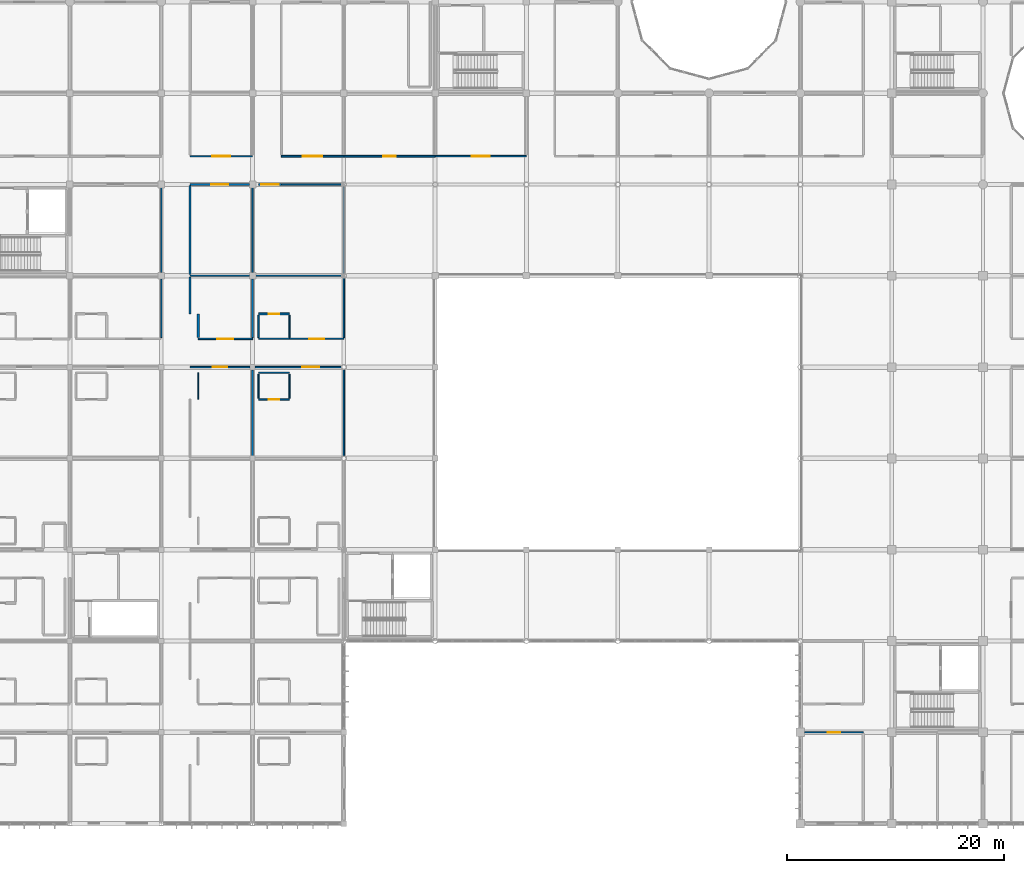
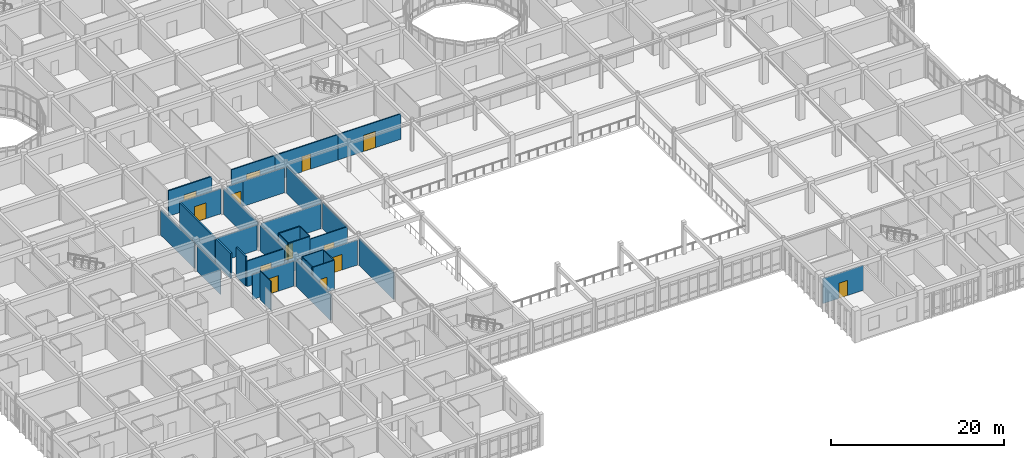
# One storey, part 102 of 144: 34 walls, 13 doors, 13 openings.
"""IFC4 building model written with IfcOpenShell, lengths in metres."""

from ifc_helpers import new_model, si_unit, direction, frame, frame_2d, origin, place, context, subcontext, project, spatial, rectangle, extrude, material, layer, layer_set, type_object, element, fill, save


model = new_model("IFC4")

# Units and contexts
model_context = context("Model", 3, precision=1e-05, world=origin(), true_north=direction((0.0, 1.0)))
body_context = subcontext(model_context, "Body", "Model", "MODEL_VIEW")
ifc_project = project(units=[si_unit("LENGTHUNIT", "METRE"), si_unit("AREAUNIT", "SQUARE_METRE"), si_unit("VOLUMEUNIT", "CUBIC_METRE"), si_unit("PLANEANGLEUNIT", "RADIAN"), si_unit("MASSUNIT", "GRAM", prefix="KILO")], contexts=[model_context])

# Site, building, storey
site_placement = place(None, origin())
site = spatial("IfcSite", under=ifc_project, at=site_placement, CompositionType="ELEMENT")
building_placement = place(site_placement, origin())
building = spatial("IfcBuilding", under=site, at=building_placement, Name="Bramfleet General Hospital", CompositionType="ELEMENT")
storey_placement = place(building_placement, frame((0.0, 0.0, 4.800048828125)))
storey = spatial("IfcBuildingStorey", under=building, at=storey_placement, Name="L01", CompositionType="ELEMENT", Elevation=4.800048828125)

# Walls
ifc_material_1 = material(Name="Concrete C35/45", Category="concrete")
ifc_layer_1 = layer(ifc_material_1, 0.219970703125, Name="WT-IW-01")
ifc_layer_set_1 = layer_set([ifc_layer_1], Name="Concrete C35/45")
wall_type_1 = type_object("IfcWallType", Name="WT-IW-01", PredefinedType="PARTITIONING", material=ifc_layer_set_1)
wall_1_placement = place(storey_placement, frame((36.25, 46.89990234375, 0.0), z_axis=(0.0, 0.0, 1.0), x_axis=(0.0, 1.0, 0.0)))
element("IfcWall", 1, at=wall_1_placement, inside=storey, type_object=wall_type_1, Name="L01 Interior Partition IW-L01-1693", PredefinedType="PARTITIONING", context=body_context, shape_type="SweptSolid", body=[
    extrude(rectangle(XDim=3.385009765625, YDim=0.219970703125, at=frame_2d((1.6923828125, 0.0))), origin(), (0.0, 0.0, 1.0), 3.5400390625),
])
wall_2_placement = place(storey_placement, frame((37.0, 44.715087890625, 0.0), z_axis=(0.0, 0.0, 1.0), x_axis=(0.0, 1.0, 0.0)))
element("IfcWall", 2, at=wall_2_placement, inside=storey, type_object=wall_type_1, Name="L01 Interior Partition IW-L01-1705", PredefinedType="PARTITIONING", context=body_context, shape_type="SweptSolid", body=[
    extrude(rectangle(XDim=2.184814453125, YDim=0.219970703125, at=frame_2d((1.09228515625, 0.0))), origin(), (0.0, 0.0, 1.0), 4.139892578125),
])
ifc_layer_2 = layer(ifc_material_1, 0.205078125, Name="WT-IW-02")
ifc_layer_set_2 = layer_set([ifc_layer_2], Name="Concrete C35/45")
wall_type_2 = type_object("IfcWallType", Name="WT-IW-02", PredefinedType="PARTITIONING", material=ifc_layer_set_2)
wall_3_placement = place(storey_placement, frame((36.25, 50.514892578125, 0.0), z_axis=(0.0, 0.0, 1.0), x_axis=(0.0, 1.0, 0.0)))
element("IfcWall", 3, at=wall_3_placement, inside=storey, type_object=wall_type_2, Name="L01 Interior Partition IW-L01-1694", PredefinedType="PARTITIONING", context=body_context, shape_type="SweptSolid", body=[
    extrude(rectangle(XDim=8.170166015625, YDim=0.205078125, at=frame_2d((4.0849609375, 0.0))), origin(), (0.0, 0.0, 1.0), 3.5400390625),
])

# Wall, opening, door
ifc_material_2 = material(Name="Gypsum plasterboard on acoustic steel studs", Category="steel")
ifc_layer_3 = layer(ifc_material_2, 0.169921875, Name="WT-IW-05")
ifc_layer_set_3 = layer_set([ifc_layer_3], Name="Gypsum plasterboard on acoustic steel studs")
wall_type_3 = type_object("IfcWallType", Name="WT-IW-05", PredefinedType="PARTITIONING", material=ifc_layer_set_3)
wall_4_placement = place(storey_placement, frame((42.550048828125, 46.89990234375, 0.0), z_axis=(0.0, 0.0, 1.0), x_axis=(1.0, 0.0, 0.0)))
wall_4 = element("IfcWall", 4, at=wall_4_placement, inside=storey, type_object=wall_type_3, Name="L01 Interior Partition IW-L01-1373", PredefinedType="PARTITIONING", context=body_context, shape_type="SweptSolid", body=[
    extrude(rectangle(XDim=2.849853515625, YDim=0.169921875, at=frame_2d((1.4248046875, 0.0))), origin(), (0.0, 0.0, 1.0), 4.139892578125),
])
opening_1_placement = place(wall_4_placement, frame((0.949951171875, 0.0, 0.0)))
opening_1 = element("IfcOpeningElement", 5, at=opening_1_placement, cuts=wall_4, Name="Opening D0707", PredefinedType="OPENING", context=body_context, shape_type="SweptSolid", body=[
    extrude(rectangle(XDim=0.949951171875, YDim=2.10009765625, at=frame_2d((0.47509765625, 1.050048828125))), frame((0.0, 0.094970703125, 0.0), z_axis=(0.0, -1.0, 0.0), x_axis=(1.0, 0.0, 0.0)), (0.0, 0.0, 1.0), 0.18994140625),
])
ifc_material_3 = material(Name="Stainless steel and acoustic timber leaf", Category="steel")
door_type_1 = type_object("IfcDoorType", Name="DR-D-10", OperationType="NOTDEFINED", PredefinedType="DOOR", material=ifc_material_3)
door_1_placement = place(opening_1_placement, origin())
door_1 = element("IfcDoor", 6, at=door_1_placement, inside=storey, type_object=door_type_1, Name="Observation En-Suite Bathroom L01-0505 Door D0707", OperationType="SINGLE_SWING_LEFT", OverallHeight=2.10009765625, OverallWidth=0.949951171875, PredefinedType="DOOR", context=body_context, shape_type="SweptSolid", body=[
    extrude(rectangle(XDim=0.949951171875, YDim=2.10009765625, at=frame_2d((0.47509765625, 1.050048828125))), frame((0.0, 0.02490234375, 0.0), z_axis=(0.0, -1.0, 0.0), x_axis=(1.0, 0.0, 0.0)), (0.0, 0.0, 1.0), 0.050048828125),
])
fill(opening_1, door_1)

wall_5_placement = place(storey_placement, frame((36.25, 61.39990234375, 0.0), z_axis=(0.0, 0.0, 1.0), x_axis=(1.0, 0.0, 0.0)))
wall_5 = element("IfcWall", 7, at=wall_5_placement, inside=storey, type_object=wall_type_3, Name="L01 Interior Partition IW-L01-1397", PredefinedType="PARTITIONING", context=body_context, shape_type="SweptSolid", body=[
    extrude(rectangle(XDim=5.75, YDim=0.169921875, at=frame_2d((2.875, 0.0))), origin(), (0.0, 0.0, 1.0), 3.58984375),
])
opening_2_placement = place(wall_5_placement, frame((2.054931640625, 0.0, 0.0)))
opening_2 = element("IfcOpeningElement", 8, at=opening_2_placement, cuts=wall_5, Name="Opening D0690", PredefinedType="OPENING", context=body_context, shape_type="SweptSolid", body=[
    extrude(rectangle(XDim=1.639892578125, YDim=2.280029296875, at=frame_2d((0.81982421875, 1.14013671875))), frame((0.0, 0.094970703125, 0.0), z_axis=(0.0, -1.0, 0.0), x_axis=(1.0, 0.0, 0.0)), (0.0, 0.0, 1.0), 0.18994140625),
])
door_type_2 = type_object("IfcDoorType", Name="DR-D-18", OperationType="NOTDEFINED", PredefinedType="DOOR", material=ifc_material_3)
door_2_placement = place(opening_2_placement, origin())
door_2 = element("IfcDoor", 9, at=door_2_placement, inside=storey, type_object=door_type_2, Name="Endoscopy and Day Surgery Procedure Room L01-0407 Door D0690", OperationType="DOUBLE_SWING_LEFT", OverallHeight=2.280029296875, OverallWidth=1.639892578125, PredefinedType="DOOR", context=body_context, shape_type="SweptSolid", body=[
    extrude(rectangle(XDim=1.639892578125, YDim=2.280029296875, at=frame_2d((0.81982421875, 1.14013671875))), frame((0.0, 0.02490234375, 0.0), z_axis=(0.0, -1.0, 0.0), x_axis=(1.0, 0.0, 0.0)), (0.0, 0.0, 1.0), 0.050048828125),
])
fill(opening_2, door_2)

ifc_layer_4 = layer(ifc_material_2, 0.159912109375, Name="WT-IW-06")
ifc_layer_set_4 = layer_set([ifc_layer_4], Name="Gypsum plasterboard on acoustic steel studs")
wall_type_4 = type_object("IfcWallType", Name="WT-IW-06", PredefinedType="PARTITIONING", material=ifc_layer_set_4)
wall_6_placement = place(storey_placement, frame((36.25, 58.800048828125, 0.0), z_axis=(0.0, 0.0, 1.0), x_axis=(1.0, 0.0, 0.0)))
wall_6 = element("IfcWall", 10, at=wall_6_placement, inside=storey, type_object=wall_type_4, Name="L01 Interior Partition IW-L01-1386", PredefinedType="PARTITIONING", context=body_context, shape_type="SweptSolid", body=[
    extrude(rectangle(XDim=5.455078125, YDim=0.159912109375, at=frame_2d((2.7275390625, 0.0))), origin(), (0.0, 0.0, 1.0), 3.5400390625),
])
opening_3_placement = place(wall_6_placement, frame((1.95751953125, 0.0, 0.0)))
opening_3 = element("IfcOpeningElement", 11, at=opening_3_placement, cuts=wall_6, Name="Opening D0689", PredefinedType="OPENING", context=body_context, shape_type="SweptSolid", body=[
    extrude(rectangle(XDim=1.5400390625, YDim=2.239990234375, at=frame_2d((0.77001953125, 1.1201171875))), frame((0.0, 0.08984375, 0.0), z_axis=(0.0, -1.0, 0.0), x_axis=(1.0, 0.0, 0.0)), (0.0, 0.0, 1.0), 0.179931640625),
])
door_type_3 = type_object("IfcDoorType", Name="DR-D-17", OperationType="NOTDEFINED", PredefinedType="DOOR", material=ifc_material_3)
door_3_placement = place(opening_3_placement, origin())
door_3 = element("IfcDoor", 12, at=door_3_placement, inside=storey, type_object=door_type_3, Name="Endoscopy and Day Surgery Procedure Room L01-0406 Door D0689", OperationType="SINGLE_SWING_RIGHT", OverallHeight=2.239990234375, OverallWidth=1.5400390625, PredefinedType="DOOR", context=body_context, shape_type="SweptSolid", body=[
    extrude(rectangle(XDim=1.5400390625, YDim=2.239990234375, at=frame_2d((0.77001953125, 1.1201171875))), frame((0.0, 0.02490234375, 0.0), z_axis=(0.0, -1.0, 0.0), x_axis=(1.0, 0.0, 0.0)), (0.0, 0.0, 1.0), 0.050048828125),
])
fill(opening_3, door_3)

wall_7_placement = place(storey_placement, frame((44.64990234375, 61.39990234375, 0.0), z_axis=(0.0, 0.0, 1.0), x_axis=(1.0, 0.0, 0.0)))
wall_7 = element("IfcWall", 13, at=wall_7_placement, inside=storey, type_object=wall_type_4, Name="L01 Interior Partition IW-L01-1398", PredefinedType="PARTITIONING", context=body_context, shape_type="SweptSolid", body=[
    extrude(rectangle(XDim=5.75, YDim=0.159912109375, at=frame_2d((2.875, 0.0))), origin(), (0.0, 0.0, 1.0), 3.58984375),
])
opening_4_placement = place(wall_7_placement, frame((1.97509765625, 0.0, 0.0)))
opening_4 = element("IfcOpeningElement", 14, at=opening_4_placement, cuts=wall_7, Name="Opening D0709", PredefinedType="OPENING", context=body_context, shape_type="SweptSolid", body=[
    extrude(rectangle(XDim=1.800048828125, YDim=2.25, at=frame_2d((0.89990234375, 1.125))), frame((0.0, 0.08984375, 0.0), z_axis=(0.0, -1.0, 0.0), x_axis=(1.0, 0.0, 0.0)), (0.0, 0.0, 1.0), 0.179931640625),
])
door_type_4 = type_object("IfcDoorType", Name="DR-D-05", OperationType="NOTDEFINED", PredefinedType="DOOR", material=ifc_material_3)
door_4_placement = place(opening_4_placement, origin())
door_4 = element("IfcDoor", 15, at=door_4_placement, inside=storey, type_object=door_type_4, Name="Endoscopy and Day Surgery Procedure Room L01-0507 Door D0709", OperationType="DOUBLE_SWING_RIGHT", OverallHeight=2.25, OverallWidth=1.800048828125, PredefinedType="DOOR", context=body_context, shape_type="SweptSolid", body=[
    extrude(rectangle(XDim=1.800048828125, YDim=2.25, at=frame_2d((0.89990234375, 1.125))), frame((0.0, 0.02490234375, 0.0), z_axis=(0.0, -1.0, 0.0), x_axis=(1.0, 0.0, 0.0)), (0.0, 0.0, 1.0), 0.050048828125),
])
fill(opening_4, door_4)

# Wall
wall_8_placement = place(storey_placement, frame((42.0, 33.844970703125, 0.0), z_axis=(0.0, 0.0, 1.0), x_axis=(0.0, 1.0, 0.0)))
element("IfcWall", 16, at=wall_8_placement, inside=storey, type_object=wall_type_4, Name="L01 Interior Partition IW-L01-1710", PredefinedType="PARTITIONING", context=body_context, shape_type="SweptSolid", body=[
    extrude(rectangle(XDim=7.909912109375, YDim=0.159912109375, at=frame_2d((3.955078125, 0.0))), origin(), (0.0, 0.0, 1.0), 3.58984375),
])

# Wall, opening, door
ifc_layer_5 = layer(ifc_material_2, 0.14990234375, Name="WT-IW-07")
ifc_layer_set_5 = layer_set([ifc_layer_5], Name="Gypsum plasterboard on acoustic steel studs")
wall_type_5 = type_object("IfcWallType", Name="WT-IW-07", PredefinedType="PARTITIONING", material=ifc_layer_set_5)
wall_9_placement = place(storey_placement, frame((42.550048828125, 58.800048828125, 0.0), z_axis=(0.0, 0.0, 1.0), x_axis=(1.0, 0.0, 0.0)))
wall_9 = element("IfcWall", 17, at=wall_9_placement, inside=storey, type_object=wall_type_5, Name="L01 Interior Partition IW-L01-1387", PredefinedType="PARTITIONING", context=body_context, shape_type="SweptSolid", body=[
    extrude(rectangle(XDim=2.099853515625, YDim=0.14990234375, at=frame_2d((1.0498046875, 0.0))), origin(), (0.0, 0.0, 1.0), 3.5400390625),
])
opening_5_placement = place(wall_9_placement, frame((0.25, 0.0, 0.0)))
opening_5 = element("IfcOpeningElement", 18, at=opening_5_placement, cuts=wall_9, Name="Opening D0708", PredefinedType="OPENING", context=body_context, shape_type="SweptSolid", body=[
    extrude(rectangle(XDim=1.60009765625, YDim=2.25, at=frame_2d((0.800048828125, 1.125))), frame((0.0, 0.0849609375, 0.0), z_axis=(0.0, -1.0, 0.0), x_axis=(1.0, 0.0, 0.0)), (0.0, 0.0, 1.0), 0.169921875),
])
door_type_5 = type_object("IfcDoorType", Name="DR-D-04", OperationType="NOTDEFINED", PredefinedType="DOOR", material=ifc_material_3)
door_5_placement = place(opening_5_placement, origin())
door_5 = element("IfcDoor", 19, at=door_5_placement, inside=storey, type_object=door_type_5, Name="Endoscopy and Day Surgery Procedure Room L01-0506 Door D0708", OperationType="DOUBLE_SWING_LEFT", OverallHeight=2.25, OverallWidth=1.60009765625, PredefinedType="DOOR", context=body_context, shape_type="SweptSolid", body=[
    extrude(rectangle(XDim=1.60009765625, YDim=2.25, at=frame_2d((0.800048828125, 1.125))), frame((0.0, 0.02490234375, 0.0), z_axis=(0.0, -1.0, 0.0), x_axis=(1.0, 0.0, 0.0)), (0.0, 0.0, 1.0), 0.050048828125),
])
fill(opening_5, door_5)

wall_10_placement = place(storey_placement, frame((50.39990234375, 61.39990234375, 0.0), z_axis=(0.0, 0.0, 1.0), x_axis=(1.0, 0.0, 0.0)))
wall_10 = element("IfcWall", 20, at=wall_10_placement, inside=storey, type_object=wall_type_5, Name="L01 Interior Partition IW-L01-1399", PredefinedType="PARTITIONING", context=body_context, shape_type="SweptSolid", body=[
    extrude(rectangle(XDim=8.400146484375, YDim=0.14990234375, at=frame_2d((4.2001953125, 0.0))), origin(), (0.0, 0.0, 1.0), 3.58984375),
])
opening_6_placement = place(wall_10_placement, frame((3.625, 0.0, 0.0)))
opening_6 = element("IfcOpeningElement", 21, at=opening_6_placement, cuts=wall_10, Name="Opening D0716", PredefinedType="OPENING", context=body_context, shape_type="SweptSolid", body=[
    extrude(rectangle(XDim=1.14990234375, YDim=2.14990234375, at=frame_2d((0.574951171875, 1.074951171875))), frame((0.0, 0.0849609375, 0.0), z_axis=(0.0, -1.0, 0.0), x_axis=(1.0, 0.0, 0.0)), (0.0, 0.0, 1.0), 0.169921875),
])
door_type_6 = type_object("IfcDoorType", Name="DR-D-12", OperationType="NOTDEFINED", PredefinedType="DOOR", material=ifc_material_3)
door_6_placement = place(opening_6_placement, origin())
door_6 = element("IfcDoor", 22, at=door_6_placement, inside=storey, type_object=door_type_6, Name="Endoscopy and Day Surgery Procedure Room L01-0607 Door D0716", OperationType="SINGLE_SWING_LEFT", OverallHeight=2.14990234375, OverallWidth=1.14990234375, PredefinedType="DOOR", context=body_context, shape_type="SweptSolid", body=[
    extrude(rectangle(XDim=1.14990234375, YDim=2.14990234375, at=frame_2d((0.574951171875, 1.074951171875))), frame((0.0, 0.02490234375, 0.0), z_axis=(0.0, -1.0, 0.0), x_axis=(1.0, 0.0, 0.0)), (0.0, 0.0, 1.0), 0.050048828125),
])
fill(opening_6, door_6)

# Wall
wall_11_placement = place(storey_placement, frame((42.0, 44.715087890625, 0.0), z_axis=(0.0, 0.0, 1.0), x_axis=(0.0, 1.0, 0.0)))
element("IfcWall", 23, at=wall_11_placement, inside=storey, type_object=wall_type_5, Name="L01 Interior Partition IW-L01-1711", PredefinedType="PARTITIONING", context=body_context, shape_type="SweptSolid", body=[
    extrude(rectangle(XDim=5.389892578125, YDim=0.14990234375, at=frame_2d((2.69482421875, 0.0))), origin(), (0.0, 0.0, 1.0), 3.58984375),
])

# Wall, opening, door
ifc_layer_6 = layer(ifc_material_2, 0.139892578125, Name="WT-IW-08")
ifc_layer_set_6 = layer_set([ifc_layer_6], Name="Gypsum plasterboard on acoustic steel studs")
wall_type_6 = type_object("IfcWallType", Name="WT-IW-08", PredefinedType="PARTITIONING", material=ifc_layer_set_6)
wall_12_placement = place(storey_placement, frame((36.25, 42.0, 0.0), z_axis=(0.0, 0.0, 1.0), x_axis=(1.0, 0.0, 0.0)))
wall_12 = element("IfcWall", 24, at=wall_12_placement, inside=storey, type_object=wall_type_6, Name="L01 Interior Partition IW-L01-1352", PredefinedType="PARTITIONING", context=body_context, shape_type="SweptSolid", body=[
    extrude(rectangle(XDim=5.5048828125, YDim=0.139892578125, at=frame_2d((2.75244140625, 0.0))), origin(), (0.0, 0.0, 1.0), 3.5400390625),
])
opening_7_placement = place(wall_12_placement, frame((2.1025390625, 0.0, 0.0)))
opening_7 = element("IfcOpeningElement", 25, at=opening_7_placement, cuts=wall_12, Name="Opening D0687", PredefinedType="OPENING", context=body_context, shape_type="SweptSolid", body=[
    extrude(rectangle(XDim=1.300048828125, YDim=2.199951171875, at=frame_2d((0.64990234375, 1.10009765625))), frame((0.0, 0.079833984375, 0.0), z_axis=(0.0, -1.0, 0.0), x_axis=(1.0, 0.0, 0.0)), (0.0, 0.0, 1.0), 0.159912109375),
])
door_type_7 = type_object("IfcDoorType", Name="DR-D-15", OperationType="NOTDEFINED", PredefinedType="DOOR", material=ifc_material_3)
door_7_placement = place(opening_7_placement, origin())
door_7 = element("IfcDoor", 26, at=door_7_placement, inside=storey, type_object=door_type_7, Name="Emergency Observation Ward Room L01-0404 Door D0687", OperationType="SINGLE_SWING_RIGHT", OverallHeight=2.199951171875, OverallWidth=1.300048828125, PredefinedType="DOOR", context=body_context, shape_type="SweptSolid", body=[
    extrude(rectangle(XDim=1.300048828125, YDim=2.199951171875, at=frame_2d((0.64990234375, 1.10009765625))), frame((0.0, 0.02490234375, 0.0), z_axis=(0.0, -1.0, 0.0), x_axis=(1.0, 0.0, 0.0)), (0.0, 0.0, 1.0), 0.050048828125),
])
fill(opening_7, door_7)

wall_13_placement = place(storey_placement, frame((37.0, 44.60009765625, 0.0), z_axis=(0.0, 0.0, 1.0), x_axis=(1.0, 0.0, 0.0)))
wall_13 = element("IfcWall", 27, at=wall_13_placement, inside=storey, type_object=wall_type_6, Name="L01 Interior Partition IW-L01-1364", PredefinedType="PARTITIONING", context=body_context, shape_type="SweptSolid", body=[
    extrude(rectangle(XDim=5.0, YDim=0.139892578125, at=frame_2d((2.5, 0.0))), origin(), (0.0, 0.0, 1.0), 3.58984375),
])
opening_8_placement = place(wall_13_placement, frame((1.760009765625, 0.0, 0.0)))
opening_8 = element("IfcOpeningElement", 28, at=opening_8_placement, cuts=wall_13, Name="Opening D0688", PredefinedType="OPENING", context=body_context, shape_type="SweptSolid", body=[
    extrude(rectangle(XDim=1.47998046875, YDim=2.219970703125, at=frame_2d((0.739990234375, 1.10986328125))), frame((0.0, 0.079833984375, 0.0), z_axis=(0.0, -1.0, 0.0), x_axis=(1.0, 0.0, 0.0)), (0.0, 0.0, 1.0), 0.159912109375),
])
door_type_8 = type_object("IfcDoorType", Name="DR-D-16", OperationType="NOTDEFINED", PredefinedType="DOOR", material=ifc_material_3)
door_8_placement = place(opening_8_placement, origin())
door_8 = element("IfcDoor", 29, at=door_8_placement, inside=storey, type_object=door_type_8, Name="Emergency Observation Ward Room L01-0405 Door D0688", OperationType="SINGLE_SWING_LEFT", OverallHeight=2.219970703125, OverallWidth=1.47998046875, PredefinedType="DOOR", context=body_context, shape_type="SweptSolid", body=[
    extrude(rectangle(XDim=1.47998046875, YDim=2.219970703125, at=frame_2d((0.739990234375, 1.10986328125))), frame((0.0, 0.02490234375, 0.0), z_axis=(0.0, -1.0, 0.0), x_axis=(1.0, 0.0, 0.0)), (0.0, 0.0, 1.0), 0.050048828125),
])
fill(opening_8, door_8)

# Wall
wall_14_placement = place(storey_placement, frame((44.64990234375, 58.800048828125, 0.0), z_axis=(0.0, 0.0, 1.0), x_axis=(1.0, 0.0, 0.0)))
element("IfcWall", 30, at=wall_14_placement, inside=storey, type_object=wall_type_6, Name="L01 Interior Partition IW-L01-1388", PredefinedType="PARTITIONING", context=body_context, shape_type="SweptSolid", body=[
    extrude(rectangle(XDim=5.526611328125, YDim=0.139892578125, at=frame_2d((2.76318359375, 0.0))), origin(), (0.0, 0.0, 1.0), 3.5400390625),
])

# Wall, opening, door
wall_15_placement = place(storey_placement, frame((58.800048828125, 61.39990234375, 0.0), z_axis=(0.0, 0.0, 1.0), x_axis=(1.0, 0.0, 0.0)))
wall_15 = element("IfcWall", 31, at=wall_15_placement, inside=storey, type_object=wall_type_6, Name="L01 Interior Partition IW-L01-1400", PredefinedType="PARTITIONING", context=body_context, shape_type="SweptSolid", body=[
    extrude(rectangle(XDim=8.39990234375, YDim=0.139892578125, at=frame_2d((4.199951171875, 0.0))), origin(), (0.0, 0.0, 1.0), 3.58984375),
])
opening_9_placement = place(wall_15_placement, frame((3.3798828125, 0.0, 0.0)))
opening_9 = element("IfcOpeningElement", 32, at=opening_9_placement, cuts=wall_15, Name="Opening D0722", PredefinedType="OPENING", context=body_context, shape_type="SweptSolid", body=[
    extrude(rectangle(XDim=1.639892578125, YDim=2.280029296875, at=frame_2d((0.81982421875, 1.14013671875))), frame((0.0, 0.079833984375, 0.0), z_axis=(0.0, -1.0, 0.0), x_axis=(1.0, 0.0, 0.0)), (0.0, 0.0, 1.0), 0.159912109375),
])
door_9_placement = place(opening_9_placement, origin())
door_9 = element("IfcDoor", 33, at=door_9_placement, inside=storey, type_object=door_type_2, Name="Pathology and Clinical Laboratory L01-0707A Door D0722", OperationType="DOUBLE_SWING_LEFT", OverallHeight=2.280029296875, OverallWidth=1.639892578125, PredefinedType="DOOR", context=body_context, shape_type="SweptSolid", body=[
    extrude(rectangle(XDim=1.639892578125, YDim=2.280029296875, at=frame_2d((0.81982421875, 1.14013671875))), frame((0.0, 0.02490234375, 0.0), z_axis=(0.0, -1.0, 0.0), x_axis=(1.0, 0.0, 0.0)), (0.0, 0.0, 1.0), 0.050048828125),
])
fill(opening_9, door_9)

# Walls
wall_16_placement = place(storey_placement, frame((42.0, 50.695068359375, 0.0), z_axis=(0.0, 0.0, 1.0), x_axis=(0.0, 1.0, 0.0)))
element("IfcWall", 34, at=wall_16_placement, inside=storey, type_object=wall_type_6, Name="L01 Interior Partition IW-L01-1712", PredefinedType="PARTITIONING", context=body_context, shape_type="SweptSolid", body=[
    extrude(rectangle(XDim=7.809814453125, YDim=0.139892578125, at=frame_2d((3.90478515625, 0.0))), origin(), (0.0, 0.0, 1.0), 3.58984375),
])
wall_17_placement = place(storey_placement, frame((42.550048828125, 44.715087890625, 0.0), z_axis=(0.0, 0.0, 1.0), x_axis=(0.0, 1.0, 0.0)))
element("IfcWall", 35, at=wall_17_placement, inside=storey, type_object=wall_type_6, Name="L01 Interior Partition IW-L01-1724", PredefinedType="PARTITIONING", context=body_context, shape_type="SweptSolid", body=[
    extrude(rectangle(XDim=2.06982421875, YDim=0.139892578125, at=frame_2d((1.034912109375, 0.0))), origin(), (0.0, 0.0, 1.0), 4.139892578125),
])
wall_18_placement = place(storey_placement, frame((50.39990234375, 33.823486328125, 0.0), z_axis=(0.0, 0.0, 1.0), x_axis=(0.0, 1.0, 0.0)))
element("IfcWall", 36, at=wall_18_placement, inside=storey, type_object=wall_type_6, Name="L01 Interior Partition IW-L01-1748", PredefinedType="PARTITIONING", context=body_context, shape_type="SweptSolid", body=[
    extrude(rectangle(XDim=7.953125, YDim=0.139892578125, at=frame_2d((3.9765625, 0.0))), origin(), (0.0, 0.0, 1.0), 3.739990234375),
])

# Wall, opening, door
ifc_layer_7 = layer(ifc_material_2, 0.1298828125, Name="WT-IW-09")
ifc_layer_set_7 = layer_set([ifc_layer_7], Name="Gypsum plasterboard on acoustic steel studs")
wall_type_7 = type_object("IfcWallType", Name="WT-IW-09", PredefinedType="PARTITIONING", material=ifc_layer_set_7)
wall_19_placement = place(storey_placement, frame((42.2451171875, 42.0, 0.0), z_axis=(0.0, 0.0, 1.0), x_axis=(1.0, 0.0, 0.0)))
wall_19 = element("IfcWall", 37, at=wall_19_placement, inside=storey, type_object=wall_type_7, Name="L01 Interior Partition IW-L01-1353", PredefinedType="PARTITIONING", context=body_context, shape_type="SweptSolid", body=[
    extrude(rectangle(XDim=7.931396484375, YDim=0.1298828125, at=frame_2d((3.9658203125, 0.0))), origin(), (0.0, 0.0, 1.0), 3.5400390625),
])
opening_10_placement = place(wall_19_placement, frame((4.32958984375, 0.0, 0.0)))
opening_10 = element("IfcOpeningElement", 38, at=opening_10_placement, cuts=wall_19, Name="Opening D0704", PredefinedType="OPENING", context=body_context, shape_type="SweptSolid", body=[
    extrude(rectangle(XDim=1.580078125, YDim=2.219970703125, at=frame_2d((0.7900390625, 1.10986328125))), frame((0.0, 0.074951171875, 0.0), z_axis=(0.0, -1.0, 0.0), x_axis=(1.0, 0.0, 0.0)), (0.0, 0.0, 1.0), 0.14990234375),
])
door_type_9 = type_object("IfcDoorType", Name="DR-D-32", OperationType="NOTDEFINED", PredefinedType="DOOR", material=ifc_material_3)
door_10_placement = place(opening_10_placement, origin())
door_10 = element("IfcDoor", 39, at=door_10_placement, inside=storey, type_object=door_type_9, Name="Emergency Observation Ward Room L01-0504 Door D0704", OperationType="DOUBLE_SWING_LEFT", OverallHeight=2.219970703125, OverallWidth=1.580078125, PredefinedType="DOOR", context=body_context, shape_type="SweptSolid", body=[
    extrude(rectangle(XDim=1.580078125, YDim=2.219970703125, at=frame_2d((0.7900390625, 1.10986328125))), frame((0.0, 0.02490234375, 0.0), z_axis=(0.0, -1.0, 0.0), x_axis=(1.0, 0.0, 0.0)), (0.0, 0.0, 1.0), 0.050048828125),
])
fill(opening_10, door_10)

# Walls
wall_20_placement = place(storey_placement, frame((45.39990234375, 44.715087890625, 0.0), z_axis=(0.0, 0.0, 1.0), x_axis=(0.0, 1.0, 0.0)))
element("IfcWall", 40, at=wall_20_placement, inside=storey, type_object=wall_type_7, Name="L01 Interior Partition IW-L01-1737", PredefinedType="PARTITIONING", context=body_context, shape_type="SweptSolid", body=[
    extrude(rectangle(XDim=2.06982421875, YDim=0.1298828125, at=frame_2d((1.034912109375, 0.0))), origin(), (0.0, 0.0, 1.0), 4.139892578125),
])
wall_21_placement = place(storey_placement, frame((50.39990234375, 44.715087890625, 0.0), z_axis=(0.0, 0.0, 1.0), x_axis=(0.0, 1.0, 0.0)))
element("IfcWall", 41, at=wall_21_placement, inside=storey, type_object=wall_type_7, Name="L01 Interior Partition IW-L01-1749", PredefinedType="PARTITIONING", context=body_context, shape_type="SweptSolid", body=[
    extrude(rectangle(XDim=5.46142578125, YDim=0.1298828125, at=frame_2d((2.730712890625, 0.0))), origin(), (0.0, 0.0, 1.0), 3.739990234375),
])

# Wall, opening, door
ifc_layer_8 = layer(ifc_material_2, 0.1201171875, Name="WT-IW-10")
ifc_layer_set_8 = layer_set([ifc_layer_8], Name="Gypsum plasterboard on acoustic steel studs")
wall_type_8 = type_object("IfcWallType", Name="WT-IW-10", PredefinedType="PARTITIONING", material=ifc_layer_set_8)
wall_22_placement = place(storey_placement, frame((42.550048828125, 39.030029296875, 0.0), z_axis=(0.0, 0.0, 1.0), x_axis=(1.0, 0.0, 0.0)))
wall_22 = element("IfcWall", 42, at=wall_22_placement, inside=storey, type_object=wall_type_8, Name="L01 Interior Partition IW-L01-1342", PredefinedType="PARTITIONING", context=body_context, shape_type="SweptSolid", body=[
    extrude(rectangle(XDim=2.849853515625, YDim=0.1201171875, at=frame_2d((1.4248046875, 0.0))), origin(), (0.0, 0.0, 1.0), 4.139892578125),
])
opening_11_placement = place(wall_22_placement, frame((0.949951171875, 0.0, 0.0)))
opening_11 = element("IfcOpeningElement", 43, at=opening_11_placement, cuts=wall_22, Name="Opening D0705", PredefinedType="OPENING", context=body_context, shape_type="SweptSolid", body=[
    extrude(rectangle(XDim=0.949951171875, YDim=2.10009765625, at=frame_2d((0.47509765625, 1.050048828125))), frame((0.0, 0.070068359375, 0.0), z_axis=(0.0, -1.0, 0.0), x_axis=(1.0, 0.0, 0.0)), (0.0, 0.0, 1.0), 0.14013671875),
])
door_11_placement = place(opening_11_placement, origin())
door_11 = element("IfcDoor", 44, at=door_11_placement, inside=storey, type_object=door_type_1, Name="Observation En-Suite Bathroom L01-0504 Door D0705", OperationType="SINGLE_SWING_LEFT", OverallHeight=2.10009765625, OverallWidth=0.949951171875, PredefinedType="DOOR", context=body_context, shape_type="SweptSolid", body=[
    extrude(rectangle(XDim=0.949951171875, YDim=2.10009765625, at=frame_2d((0.47509765625, 1.050048828125))), frame((0.0, 0.02490234375, 0.0), z_axis=(0.0, -1.0, 0.0), x_axis=(1.0, 0.0, 0.0)), (0.0, 0.0, 1.0), 0.050048828125),
])
fill(opening_11, door_11)

# Walls
for number, where, z_axis, x_axis, name in (
    (45, (42.550048828125, 41.47998046875, 0.0), (0.0, 0.0, 1.0), (1.0, 0.0, 0.0), "L01 Interior Partition IW-L01-1347"),
    (46, (42.550048828125, 44.60009765625, 0.0), (0.0, 0.0, 1.0), (1.0, 0.0, 0.0), "L01 Interior Partition IW-L01-1365"),
):
    element("IfcWall", number, at=place(storey_placement, frame(where, z_axis=z_axis, x_axis=x_axis)), inside=storey, type_object=wall_type_8, Name=name, PredefinedType="PARTITIONING", context=body_context, shape_type="SweptSolid", body=[
        extrude(rectangle(XDim=2.849853515625, YDim=0.1201171875, at=frame_2d((1.4248046875, 0.0))), origin(), (0.0, 0.0, 1.0), 4.139892578125),
    ])

# Wall, opening, door
wall_23_placement = place(storey_placement, frame((45.39990234375, 44.60009765625, 0.0), z_axis=(0.0, 0.0, 1.0), x_axis=(1.0, 0.0, 0.0)))
wall_23 = element("IfcWall", 47, at=wall_23_placement, inside=storey, type_object=wall_type_8, Name="L01 Interior Partition IW-L01-1366", PredefinedType="PARTITIONING", context=body_context, shape_type="SweptSolid", body=[
    extrude(rectangle(XDim=5.0, YDim=0.1201171875, at=frame_2d((2.5, 0.0))), origin(), (0.0, 0.0, 1.0), 3.739990234375),
])
opening_12_placement = place(wall_23_placement, frame((1.824951171875, 0.0, 0.0)))
opening_12 = element("IfcOpeningElement", 48, at=opening_12_placement, cuts=wall_23, Name="Opening D0706", PredefinedType="OPENING", context=body_context, shape_type="SweptSolid", body=[
    extrude(rectangle(XDim=1.35009765625, YDim=2.199951171875, at=frame_2d((0.675048828125, 1.10009765625))), frame((0.0, 0.070068359375, 0.0), z_axis=(0.0, -1.0, 0.0), x_axis=(1.0, 0.0, 0.0)), (0.0, 0.0, 1.0), 0.14013671875),
])
door_type_10 = type_object("IfcDoorType", Name="DR-D-02", OperationType="NOTDEFINED", PredefinedType="DOOR", material=ifc_material_3)
door_12_placement = place(opening_12_placement, origin())
door_12 = element("IfcDoor", 49, at=door_12_placement, inside=storey, type_object=door_type_10, Name="Emergency Observation Ward Room L01-0505 Door D0706", OperationType="SINGLE_SWING_LEFT", OverallHeight=2.199951171875, OverallWidth=1.35009765625, PredefinedType="DOOR", context=body_context, shape_type="SweptSolid", body=[
    extrude(rectangle(XDim=1.35009765625, YDim=2.199951171875, at=frame_2d((0.675048828125, 1.10009765625))), frame((0.0, 0.02490234375, 0.0), z_axis=(0.0, -1.0, 0.0), x_axis=(1.0, 0.0, 0.0)), (0.0, 0.0, 1.0), 0.050048828125),
])
fill(opening_12, door_12)

# Walls
wall_24_placement = place(storey_placement, frame((36.25, 50.39990234375, 0.0), z_axis=(0.0, 0.0, 1.0), x_axis=(1.0, 0.0, 0.0)))
element("IfcWall", 50, at=wall_24_placement, inside=storey, type_object=wall_type_8, Name="L01 Interior Partition IW-L01-1378", PredefinedType="PARTITIONING", context=body_context, shape_type="SweptSolid", body=[
    extrude(rectangle(XDim=5.455078125, YDim=0.1201171875, at=frame_2d((2.7275390625, 0.0))), origin(), (0.0, 0.0, 1.0), 3.5400390625),
])
wall_25_placement = place(storey_placement, frame((33.60009765625, 44.715087890625, 0.0), z_axis=(0.0, 0.0, 1.0), x_axis=(0.0, 1.0, 0.0)))
element("IfcWall", 51, at=wall_25_placement, inside=storey, type_object=wall_type_8, Name="L01 Interior Partition IW-L01-1678", PredefinedType="PARTITIONING", context=body_context, shape_type="SweptSolid", body=[
    extrude(rectangle(XDim=5.389892578125, YDim=0.1201171875, at=frame_2d((2.69482421875, 0.0))), origin(), (0.0, 0.0, 1.0), 3.58984375),
])
for number, where, z_axis, x_axis, name in (
    (52, (42.550048828125, 39.14501953125, 0.0), (0.0, 0.0, 1.0), (0.0, 1.0, 0.0), "L01 Interior Partition IW-L01-1723"),
    (53, (45.39990234375, 39.14501953125, 0.0), (0.0, 0.0, 1.0), (0.0, 1.0, 0.0), "L01 Interior Partition IW-L01-1736"),
):
    element("IfcWall", number, at=place(storey_placement, frame(where, z_axis=z_axis, x_axis=x_axis)), inside=storey, type_object=wall_type_8, Name=name, PredefinedType="PARTITIONING", context=body_context, shape_type="SweptSolid", body=[
        extrude(rectangle(XDim=2.219970703125, YDim=0.1201171875, at=frame_2d((1.10986328125, 0.0))), origin(), (0.0, 0.0, 1.0), 4.139892578125),
    ])
wall_26_placement = place(storey_placement, frame((50.39990234375, 50.62353515625, 0.0), z_axis=(0.0, 0.0, 1.0), x_axis=(0.0, 1.0, 0.0)))
element("IfcWall", 54, at=wall_26_placement, inside=storey, type_object=wall_type_8, Name="L01 Interior Partition IW-L01-1750", PredefinedType="PARTITIONING", context=body_context, shape_type="SweptSolid", body=[
    extrude(rectangle(XDim=7.952880859375, YDim=0.1201171875, at=frame_2d((3.9765625, 0.0))), origin(), (0.0, 0.0, 1.0), 3.739990234375),
])

# Wall, opening, door
ifc_layer_9 = layer(ifc_material_2, 0.112060546875, Name="WT-IW-11")
ifc_layer_set_9 = layer_set([ifc_layer_9], Name="Gypsum plasterboard on acoustic steel studs")
wall_type_9 = type_object("IfcWallType", Name="WT-IW-11", PredefinedType="PARTITIONING", material=ifc_layer_set_9)
wall_27_placement = place(storey_placement, frame((92.794921875, 8.39990234375, 0.0), z_axis=(0.0, 0.0, 1.0), x_axis=(1.0, 0.0, 0.0)))
wall_27 = element("IfcWall", 55, at=wall_27_placement, inside=storey, type_object=wall_type_9, Name="L01 Interior Partition IW-L01-1211", PredefinedType="PARTITIONING", context=body_context, shape_type="SweptSolid", body=[
    extrude(rectangle(XDim=5.405029296875, YDim=0.112060546875, at=frame_2d((2.70263671875, 0.0))), origin(), (0.0, 0.0, 1.0), 3.5400390625),
])
opening_13_placement = place(wall_27_placement, frame((2.12744140625, 0.0, 0.0)))
opening_13 = element("IfcOpeningElement", 56, at=opening_13_placement, cuts=wall_27, Name="Opening D0748", PredefinedType="OPENING", context=body_context, shape_type="SweptSolid", body=[
    extrude(rectangle(XDim=1.14990234375, YDim=2.14990234375, at=frame_2d((0.574951171875, 1.074951171875))), frame((0.0, 0.06591796875, 0.0), z_axis=(0.0, -1.0, 0.0), x_axis=(1.0, 0.0, 0.0)), (0.0, 0.0, 1.0), 0.132080078125),
])
door_13_placement = place(opening_13_placement, origin())
door_13 = element("IfcDoor", 57, at=door_13_placement, inside=storey, type_object=door_type_6, Name="Pathology and Clinical Laboratory L01-1100A Door D0748", OperationType="SINGLE_SWING_LEFT", OverallHeight=2.14990234375, OverallWidth=1.14990234375, PredefinedType="DOOR", context=body_context, shape_type="SweptSolid", body=[
    extrude(rectangle(XDim=1.14990234375, YDim=2.14990234375, at=frame_2d((0.574951171875, 1.074951171875))), frame((0.0, 0.02490234375, 0.0), z_axis=(0.0, -1.0, 0.0), x_axis=(1.0, 0.0, 0.0)), (0.0, 0.0, 1.0), 0.050048828125),
])
fill(opening_13, door_13)

# Walls
wall_28_placement = place(storey_placement, frame((42.294921875, 50.39990234375, 0.0), z_axis=(0.0, 0.0, 1.0), x_axis=(1.0, 0.0, 0.0)))
element("IfcWall", 58, at=wall_28_placement, inside=storey, type_object=wall_type_9, Name="L01 Interior Partition IW-L01-1379", PredefinedType="PARTITIONING", context=body_context, shape_type="SweptSolid", body=[
    extrude(rectangle(XDim=7.881591796875, YDim=0.112060546875, at=frame_2d((3.94091796875, 0.0))), origin(), (0.0, 0.0, 1.0), 3.5400390625),
])
wall_29_placement = place(storey_placement, frame((33.60009765625, 50.695068359375, 0.0), z_axis=(0.0, 0.0, 1.0), x_axis=(0.0, 1.0, 0.0)))
element("IfcWall", 59, at=wall_29_placement, inside=storey, type_object=wall_type_9, Name="L01 Interior Partition IW-L01-1679", PredefinedType="PARTITIONING", context=body_context, shape_type="SweptSolid", body=[
    extrude(rectangle(XDim=7.809814453125, YDim=0.112060546875, at=frame_2d((3.90478515625, 0.0))), origin(), (0.0, 0.0, 1.0), 3.58984375),
])
ifc_layer_10 = layer(ifc_material_2, 0.10009765625, Name="WT-IW-12")
ifc_layer_set_10 = layer_set([ifc_layer_10], Name="Gypsum plasterboard on acoustic steel studs")
wall_type_10 = type_object("IfcWallType", Name="WT-IW-12", PredefinedType="PARTITIONING", material=ifc_layer_set_10)
wall_30_placement = place(storey_placement, frame((37.0, 39.030029296875, 0.0), z_axis=(0.0, 0.0, 1.0), x_axis=(0.0, 1.0, 0.0)))
element("IfcWall", 60, at=wall_30_placement, inside=storey, type_object=wall_type_10, Name="L01 Interior Partition IW-L01-1704", PredefinedType="PARTITIONING", context=body_context, shape_type="SweptSolid", body=[
    extrude(rectangle(XDim=2.449951171875, YDim=0.10009765625, at=frame_2d((1.22509765625, 0.0))), origin(), (0.0, 0.0, 1.0), 4.139892578125),
])

save(model, "model.ifc")
